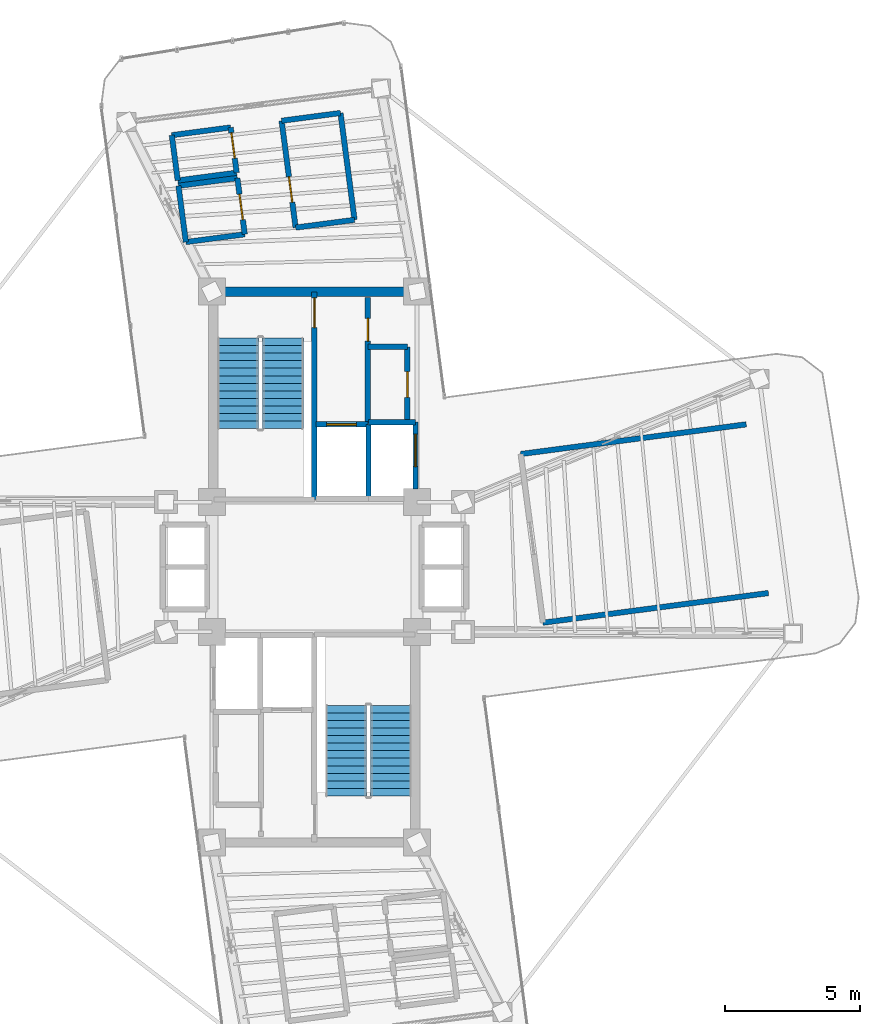
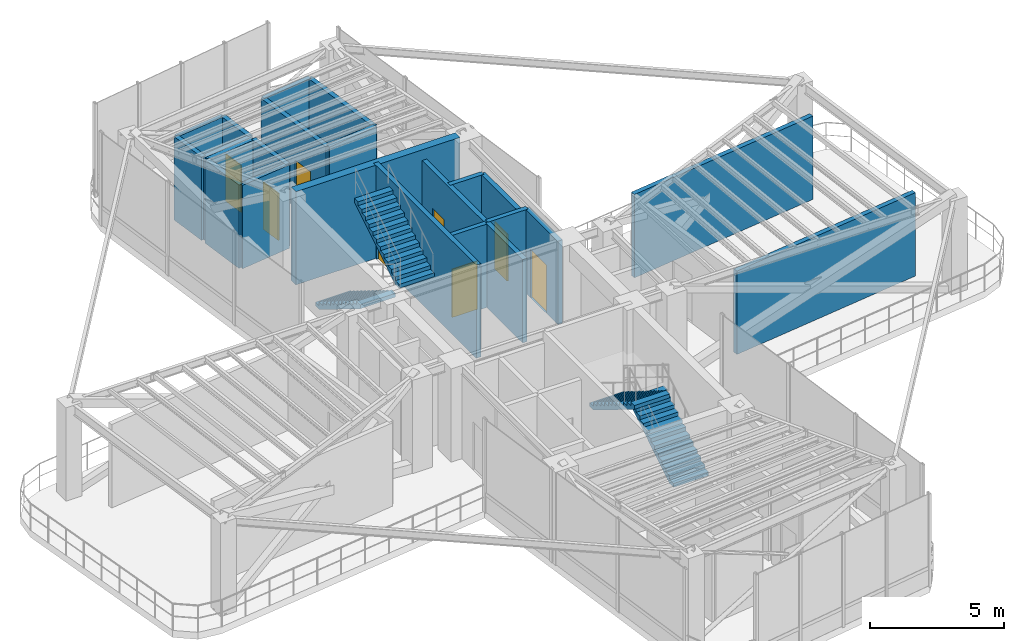
# One storey, part 15 of 17: 23 walls, 8 doors, 4 stair flights, 8 openings, 2 elements without a shape of their own.
"""IFC4 building model written with IfcOpenShell, lengths in metres."""

from ifc_helpers import new_model, si_unit, direction, frame, frame_2d, origin, origin_2d, place, context, subcontext, project, spatial, polyline, rectangle, outline, extrude, source, transform, mapped, material, layer, layer_set, type_object, element, fill, aggregate, save


model = new_model("IFC4")

# Units and contexts
model_context = context("Model", 3, precision=1e-05, world=origin(), true_north=direction((0.0, 1.0)))
body_context = subcontext(model_context, "Body", "Model", "MODEL_VIEW")
ifc_project = project(units=[si_unit("LENGTHUNIT", "METRE"), si_unit("AREAUNIT", "SQUARE_METRE"), si_unit("VOLUMEUNIT", "CUBIC_METRE"), si_unit("PLANEANGLEUNIT", "RADIAN"), si_unit("MASSUNIT", "GRAM", prefix="KILO")], contexts=[model_context])

# Site, building, storey
site_placement = place(None, origin())
site = spatial("IfcSite", under=ifc_project, at=site_placement, CompositionType="ELEMENT")
building_placement = place(site_placement, origin())
building = spatial("IfcBuilding", under=site, at=building_placement, Name="Sahyath Konkavel Grand Hotel", CompositionType="ELEMENT")
storey_placement = place(building_placement, frame((0.0, 0.0, 264.60009765625)))
storey = spatial("IfcBuildingStorey", under=building, at=storey_placement, Name="L74", CompositionType="ELEMENT", Elevation=264.60009765625)

# Wall
ifc_material_1 = material(Name="Concrete C40/50", Category="concrete")
ifc_layer_1 = layer(ifc_material_1, 0.35009765625)
ifc_layer_set_1 = layer_set([ifc_layer_1], Name="Concrete C40/50")
wall_type_1 = type_object("IfcWallType", Name="CWALL-350", PredefinedType="SHEAR", material=ifc_layer_set_1)
wall_1_placement = place(storey_placement, frame((-3.550048828125, 10.199951171875, 0.0), z_axis=(0.0, 0.0, 1.0), x_axis=(1.0, 0.0, 0.0)))
element("IfcWall", 1, at=wall_1_placement, inside=storey, type_object=wall_type_1, Name="L74 North Core Shear Wall N", PredefinedType="SHEAR", context=body_context, shape_type="SweptSolid", body=[
    extrude(rectangle(XDim=7.10009765625, YDim=0.35009765625, at=frame_2d((3.550048828125, 0.0))), origin(), (0.0, 0.0, 1.0), 4.260009765625),
])

# Wall, opening, door
ifc_layer_2 = layer(ifc_material_1, 0.199951171875)
ifc_layer_set_2 = layer_set([ifc_layer_2], Name="Concrete C40/50")
wall_type_2 = type_object("IfcWallType", Name="WLL-CORE-200", PredefinedType="SOLIDWALL", material=ifc_layer_set_2)
wall_2_placement = place(storey_placement, frame((0.0, 2.5, 0.0), z_axis=(0.0, 0.0, 1.0), x_axis=(0.0, 1.0, 0.0)))
wall_2 = element("IfcWall", 2, at=wall_2_placement, inside=storey, type_object=wall_type_2, Name="L74 Stair ST-1 Shaft Wall E", PredefinedType="SOLIDWALL", context=body_context, shape_type="SweptSolid", body=[
    extrude(rectangle(XDim=7.679931640625, YDim=0.199951171875, at=frame_2d((3.83984375, 0.0))), origin(), (0.0, 0.0, 1.0), 4.260009765625),
])
opening_1_placement = place(wall_2_placement, frame((6.360107421875, 0.0, 0.0)))
opening_1 = element("IfcOpeningElement", 3, at=opening_1_placement, cuts=wall_2, Name="Opening D-F12B", PredefinedType="OPENING", context=body_context, shape_type="SweptSolid", body=[
    extrude(rectangle(XDim=1.10009765625, YDim=2.14990234375, at=frame_2d((0.550048828125, 1.074951171875))), frame((0.0, 0.10986328125, 0.0), z_axis=(0.0, -1.0, 0.0), x_axis=(1.0, 0.0, 0.0)), (0.0, 0.0, 1.0), 0.219970703125),
])
ifc_material_2 = material(Name="Steel E350 Smokeproof Fire Door", Category="steel")
door_type_1 = type_object("IfcDoorType", Name="DR-FD120-1100", OperationType="NOTDEFINED", PredefinedType="DOOR", material=ifc_material_2)
shared_shape_1 = source(origin(), body_context, "Body", "SweptSolid", [
    extrude(rectangle(XDim=1.10009765625, YDim=0.050048828125, at=origin_2d()), origin(), (0.0, 0.0, 1.0), 2.14990234375),
])
door_1_placement = place(opening_1_placement, frame((0.550048828125, 0.0, 0.0)))
door_1 = element("IfcDoor", 4, at=door_1_placement, inside=storey, type_object=door_type_1, Name="L74 Stair ST-1 Fire Door", OperationType="SINGLE_SWING_RIGHT", OverallHeight=2.14990234375, OverallWidth=1.10009765625, PredefinedType="DOOR", context=body_context, shape_type="MappedRepresentation", body=[
    mapped(shared_shape_1, transform((0.0, 0.0, 0.0), scale=1.0)),
])
fill(opening_1, door_1)

wall_3_placement = place(storey_placement, frame((1.97998046875, 5.320068359375, 0.0), z_axis=(0.0, 0.0, 1.0), x_axis=(0.0, 1.0, 0.0)))
wall_3 = element("IfcWall", 5, at=wall_3_placement, inside=storey, type_object=wall_type_2, Name="L74 North Firefighting Lobby Wall E", PredefinedType="SOLIDWALL", context=body_context, shape_type="SweptSolid", body=[
    extrude(rectangle(XDim=4.659912109375, YDim=0.199951171875, at=frame_2d((2.330078125, 0.0))), origin(), (0.0, 0.0, 1.0), 3.809814453125),
])
opening_2_placement = place(wall_3_placement, frame((3.0400390625, 0.0, 0.0)))
opening_2 = element("IfcOpeningElement", 6, at=opening_2_placement, cuts=wall_3, Name="Opening D-F12D", PredefinedType="OPENING", context=body_context, shape_type="SweptSolid", body=[
    extrude(rectangle(XDim=0.85009765625, YDim=2.10009765625, at=frame_2d((0.425048828125, 1.050048828125))), frame((0.0, 0.10986328125, 0.0), z_axis=(0.0, -1.0, 0.0), x_axis=(1.0, 0.0, 0.0)), (0.0, 0.0, 1.0), 0.219970703125),
])
ifc_material_3 = material(Name="Steel E350 Core Fire Door", Category="steel")
door_type_2 = type_object("IfcDoorType", Name="DR-FD120-850", OperationType="NOTDEFINED", PredefinedType="DOOR", material=ifc_material_3)
shared_shape_2 = source(origin(), body_context, "Body", "SweptSolid", [
    extrude(rectangle(XDim=0.85009765625, YDim=0.050048828125, at=origin_2d()), origin(), (0.0, 0.0, 1.0), 2.10009765625),
])
door_2_placement = place(opening_2_placement, frame((0.425048828125, 0.0, 0.0)))
door_2 = element("IfcDoor", 7, at=door_2_placement, inside=storey, type_object=door_type_2, Name="L74 North Firefighting Lobby Door", OperationType="SINGLE_SWING_RIGHT", OverallHeight=2.10009765625, OverallWidth=0.85009765625, PredefinedType="DOOR", context=body_context, shape_type="MappedRepresentation", body=[
    mapped(shared_shape_2, transform((0.0, 0.0, 0.0), scale=1.0)),
])
fill(opening_2, door_2)

# Wall
wall_4_placement = place(storey_placement, frame((2.0, 2.5, 0.0), z_axis=(0.0, 0.0, 1.0), x_axis=(0.0, 1.0, 0.0)))
element("IfcWall", 8, at=wall_4_placement, inside=storey, type_object=wall_type_2, Name="L74 Partition SH-FFL1-E", PredefinedType="SOLIDWALL", context=body_context, shape_type="SweptSolid", body=[
    extrude(rectangle(XDim=2.780029296875, YDim=0.199951171875, at=frame_2d((1.39013671875, 0.0))), origin(), (0.0, 0.0, 1.0), 3.809814453125),
])

# Wall, opening, door
wall_5_placement = place(storey_placement, frame((0.050048828125, 5.280029296875, 0.0), z_axis=(0.0, 0.0, 1.0), x_axis=(1.0, 0.0, 0.0)))
wall_5 = element("IfcWall", 9, at=wall_5_placement, inside=storey, type_object=wall_type_2, Name="L74 Partition SH-FFL1-N", PredefinedType="SOLIDWALL", context=body_context, shape_type="SweptSolid", body=[
    extrude(rectangle(XDim=1.929931640625, YDim=0.199951171875, at=frame_2d((0.96484375, 0.0))), origin(), (0.0, 0.0, 1.0), 3.809814453125),
])
opening_3_placement = place(wall_5_placement, frame((0.39990234375, 0.0, 0.0)))
opening_3 = element("IfcOpeningElement", 10, at=opening_3_placement, cuts=wall_5, Name="Opening LD-11", PredefinedType="OPENING", context=body_context, shape_type="SweptSolid", body=[
    extrude(rectangle(XDim=1.10009765625, YDim=2.199951171875, at=frame_2d((0.550048828125, 1.10009765625))), frame((0.0, 0.10986328125, 0.0), z_axis=(0.0, -1.0, 0.0), x_axis=(1.0, 0.0, 0.0)), (0.0, 0.0, 1.0), 0.219970703125),
])
ifc_material_4 = material(Name="Bronze Lift Landing Door 1100")
door_type_3 = type_object("IfcDoorType", Name="DR-LIFT-1100", OperationType="DOUBLE_DOOR_SLIDING", PredefinedType="DOOR", material=ifc_material_4)
shared_shape_3 = source(origin(), body_context, "Body", "SweptSolid", [
    extrude(rectangle(XDim=1.10009765625, YDim=0.050048828125, at=origin_2d()), origin(), (0.0, 0.0, 1.0), 2.199951171875),
])
door_3_placement = place(opening_3_placement, frame((0.550048828125, 0.0, 0.0)))
door_3 = element("IfcDoor", 11, at=door_3_placement, inside=storey, type_object=door_type_3, Name="L74 Lift FFL-1 Landing Door", OperationType="DOUBLE_DOOR_SLIDING", OverallHeight=2.199951171875, OverallWidth=1.10009765625, PredefinedType="DOOR", context=body_context, shape_type="MappedRepresentation", body=[
    mapped(shared_shape_3, transform((0.0, 0.0, 0.0), scale=1.0)),
])
fill(opening_3, door_3)

# Wall
wall_6_placement = place(storey_placement, frame((2.0, 5.360107421875, 0.0), z_axis=(0.0, 0.0, 1.0), x_axis=(1.0, 0.0, 0.0)))
element("IfcWall", 12, at=wall_6_placement, inside=storey, type_object=wall_type_2, Name="L74 Partition SH-SVL1-N", PredefinedType="SOLIDWALL", context=body_context, shape_type="SweptSolid", body=[
    extrude(rectangle(XDim=1.739990234375, YDim=0.199951171875, at=frame_2d((0.8701171875, 0.0))), origin(), (0.0, 0.0, 1.0), 3.809814453125),
])

# Wall, opening, door
wall_7_placement = place(storey_placement, frame((3.739990234375, 2.8798828125, 0.0), z_axis=(0.0, 0.0, 1.0), x_axis=(0.0, 1.0, 0.0)))
wall_7 = element("IfcWall", 13, at=wall_7_placement, inside=storey, type_object=wall_type_2, Name="L74 Partition SH-SVL1-E", PredefinedType="SOLIDWALL", context=body_context, shape_type="SweptSolid", body=[
    extrude(rectangle(XDim=2.480224609375, YDim=0.199951171875, at=frame_2d((1.240234375, 0.0))), origin(), (0.0, 0.0, 1.0), 3.809814453125),
])
opening_4_placement = place(wall_7_placement, frame((0.840087890625, 0.0, 0.0)))
opening_4 = element("IfcOpeningElement", 14, at=opening_4_placement, cuts=wall_7, Name="Opening LD-12", PredefinedType="OPENING", context=body_context, shape_type="SweptSolid", body=[
    extrude(rectangle(XDim=1.199951171875, YDim=2.199951171875, at=frame_2d((0.60009765625, 1.10009765625))), frame((0.0, 0.10986328125, 0.0), z_axis=(0.0, -1.0, 0.0), x_axis=(1.0, 0.0, 0.0)), (0.0, 0.0, 1.0), 0.219970703125),
])
ifc_material_5 = material(Name="Stainless Steel Lift Landing Door 1200", Category="steel")
door_type_4 = type_object("IfcDoorType", Name="DR-LIFT-1200", OperationType="DOUBLE_DOOR_SLIDING", PredefinedType="DOOR", material=ifc_material_5)
shared_shape_4 = source(origin(), body_context, "Body", "SweptSolid", [
    extrude(rectangle(XDim=1.199951171875, YDim=0.050048828125, at=origin_2d()), origin(), (0.0, 0.0, 1.0), 2.199951171875),
])
door_4_placement = place(opening_4_placement, frame((0.60009765625, 0.0, 0.0)))
door_4 = element("IfcDoor", 15, at=door_4_placement, inside=storey, type_object=door_type_4, Name="L74 Service Lift SVL-1 Landing Door", OperationType="DOUBLE_DOOR_SLIDING", OverallHeight=2.199951171875, OverallWidth=1.199951171875, PredefinedType="DOOR", context=body_context, shape_type="MappedRepresentation", body=[
    mapped(shared_shape_4, transform((0.0, 0.0, 0.0), scale=1.0)),
])
fill(opening_4, door_4)

wall_8_placement = place(storey_placement, frame((3.43994140625, 5.3798828125, 0.0), z_axis=(0.0, 0.0, 1.0), x_axis=(0.0, 1.0, 0.0)))
wall_8 = element("IfcWall", 16, at=wall_8_placement, inside=storey, type_object=wall_type_2, Name="L74 Reclaimed North Core Wall E", PredefinedType="SOLIDWALL", context=body_context, shape_type="SweptSolid", body=[
    extrude(rectangle(XDim=2.77001953125, YDim=0.199951171875, at=frame_2d((1.385009765625, 0.0))), origin(), (0.0, 0.0, 1.0), 3.809814453125),
])
opening_5_placement = place(wall_8_placement, frame((0.89990234375, 0.0, 0.0)))
opening_5 = element("IfcOpeningElement", 17, at=opening_5_placement, cuts=wall_8, Name="Opening D-F06B", PredefinedType="OPENING", context=body_context, shape_type="SweptSolid", body=[
    extrude(rectangle(XDim=0.949951171875, YDim=2.14990234375, at=frame_2d((0.47509765625, 1.074951171875))), frame((0.0, 0.10986328125, 0.0), z_axis=(0.0, -1.0, 0.0), x_axis=(1.0, 0.0, 0.0)), (0.0, 0.0, 1.0), 0.219970703125),
])
ifc_material_6 = material(Name="Teak Veneer Fire-Rated Guest Entrance Door")
door_type_5 = type_object("IfcDoorType", Name="DR-FD60-950", OperationType="NOTDEFINED", PredefinedType="DOOR", material=ifc_material_6)
shared_shape_5 = source(origin(), body_context, "Body", "SweptSolid", [
    extrude(rectangle(XDim=0.949951171875, YDim=0.050048828125, at=origin_2d()), origin(), (0.0, 0.0, 1.0), 2.14990234375),
])
door_5_placement = place(opening_5_placement, frame((0.47509765625, 0.0, 0.0)))
door_5 = element("IfcDoor", 18, at=door_5_placement, inside=storey, type_object=door_type_5, Name="L74 Door NC-REC1-D", OperationType="SINGLE_SWING_RIGHT", OverallHeight=2.14990234375, OverallWidth=0.949951171875, PredefinedType="DOOR", context=body_context, shape_type="MappedRepresentation", body=[
    mapped(shared_shape_5, transform((0.0, 0.0, 0.0), scale=1.0)),
])
fill(opening_5, door_5)

# Walls
wall_9_placement = place(storey_placement, frame((1.97998046875, 8.14990234375, 0.0), z_axis=(0.0, 0.0, 1.0), x_axis=(1.0, 0.0, 0.0)))
element("IfcWall", 19, at=wall_9_placement, inside=storey, type_object=wall_type_2, Name="L74 Partition NC-REC-N", PredefinedType="SOLIDWALL", context=body_context, shape_type="SweptSolid", body=[
    extrude(rectangle(XDim=1.4599609375, YDim=0.199951171875, at=frame_2d((0.72998046875, 0.0))), origin(), (0.0, 0.0, 1.0), 3.809814453125),
])
wall_10_placement = place(storey_placement, frame((7.639404296875, 4.182861328125, 0.0), z_axis=(0.0, 0.0, 1.0), x_axis=(0.991443337312, 0.130537768098, 0.0)))
element("IfcWall", 20, at=wall_10_placement, inside=storey, type_object=wall_type_2, Name="L74 Partition REF-E-N", PredefinedType="SOLIDWALL", context=body_context, shape_type="SweptSolid", body=[
    extrude(rectangle(XDim=8.419921875, YDim=0.199951171875, at=frame_2d((4.2099609375, 0.0))), origin(), (0.0, 0.0, 1.0), 3.809814453125),
])
wall_11_placement = place(storey_placement, frame((8.461669921875, -2.063232421875, 0.0), z_axis=(0.0, 0.0, 1.0), x_axis=(0.991443831377, 0.130534015583, 0.0)))
element("IfcWall", 21, at=wall_11_placement, inside=storey, type_object=wall_type_2, Name="L74 Partition REF-E-S", PredefinedType="SOLIDWALL", context=body_context, shape_type="SweptSolid", body=[
    extrude(rectangle(XDim=8.420166015625, YDim=0.199951171875, at=frame_2d((4.2099609375, 0.0))), origin(), (0.0, 0.0, 1.0), 3.809814453125),
])

# Wall, opening, door
wall_12_placement = place(storey_placement, frame((-2.580078125, 12.318603515625, 0.0), z_axis=(0.0, 0.0, 1.0), x_axis=(-0.13044248305, 0.9914558783, 0.0)))
wall_12 = element("IfcWall", 22, at=wall_12_placement, inside=storey, type_object=wall_type_2, Name="L74 Partition PL-AHU-C", PredefinedType="SOLIDWALL", context=body_context, shape_type="SweptSolid", body=[
    extrude(rectangle(XDim=2.099853515625, YDim=0.199951171875, at=frame_2d((1.0498046875, 0.0))), origin(), (0.0, 0.0, 1.0), 3.809814453125),
])
opening_6_placement = place(wall_12_placement, frame((0.550048828125, 0.0, 0.0)))
opening_6 = element("IfcOpeningElement", 23, at=opening_6_placement, cuts=wall_12, Name="Opening D-F12C", PredefinedType="OPENING", context=body_context, shape_type="SweptSolid", body=[
    extrude(rectangle(XDim=0.949951171875, YDim=2.14990234375, at=frame_2d((0.47509765625, 1.074951171875))), frame((0.0, 0.10986328125, 0.0), z_axis=(0.0, -1.0, 0.0), x_axis=(1.0, 0.0, 0.0)), (0.0, 0.0, 1.0), 0.219970703125),
])
ifc_material_7 = material(Name="Steel E350 Plant Fire Door", Category="steel")
door_type_6 = type_object("IfcDoorType", Name="DR-FD120-950", OperationType="NOTDEFINED", PredefinedType="DOOR", material=ifc_material_7)
door_6_placement = place(opening_6_placement, frame((0.47509765625, 0.0, 0.0)))
door_6 = element("IfcDoor", 24, at=door_6_placement, inside=storey, type_object=door_type_6, Name="L74 Door PL-AHU-D", OperationType="SINGLE_SWING_RIGHT", OverallHeight=2.14990234375, OverallWidth=0.949951171875, PredefinedType="DOOR", context=body_context, shape_type="MappedRepresentation", body=[
    mapped(shared_shape_5, transform((0.0, 0.0, 0.0), scale=1.0)),
])
fill(opening_6, door_6)

# Walls
wall_13_placement = place(storey_placement, frame((-4.76123046875, 12.031494140625, 0.0), z_axis=(0.0, 0.0, 1.0), x_axis=(-0.130556761174, 0.991440836415, 0.0)))
element("IfcWall", 25, at=wall_13_placement, inside=storey, type_object=wall_type_2, Name="L74 Partition PL-AHU-O", PredefinedType="SOLIDWALL", context=body_context, shape_type="SweptSolid", body=[
    extrude(rectangle(XDim=2.10009765625, YDim=0.199951171875, at=frame_2d((1.050048828125, 0.0))), origin(), (0.0, 0.0, 1.0), 3.809814453125),
])
wall_14_placement = place(storey_placement, frame((-2.580078125, 12.318603515625, 0.0), z_axis=(0.0, 0.0, 1.0), x_axis=(-0.991447495205, -0.130506184728, 0.0)))
element("IfcWall", 26, at=wall_14_placement, inside=storey, type_object=wall_type_2, Name="L74 Partition PL-AHU-A", PredefinedType="SOLIDWALL", context=body_context, shape_type="SweptSolid", body=[
    extrude(rectangle(XDim=2.199951171875, YDim=0.199951171875, at=frame_2d((1.10009765625, 0.0))), origin(), (0.0, 0.0, 1.0), 3.809814453125),
])
wall_15_placement = place(storey_placement, frame((-2.85400390625, 14.400634765625, 0.0), z_axis=(0.0, 0.0, 1.0), x_axis=(-0.991449384998, -0.130491827281, 0.0)))
element("IfcWall", 27, at=wall_15_placement, inside=storey, type_object=wall_type_2, Name="L74 Partition PL-AHU-B", PredefinedType="SOLIDWALL", context=body_context, shape_type="SweptSolid", body=[
    extrude(rectangle(XDim=2.2001953125, YDim=0.199951171875, at=frame_2d((1.10009765625, 0.0))), origin(), (0.0, 0.0, 1.0), 3.809814453125),
])

# Wall, opening, door
wall_16_placement = place(storey_placement, frame((-2.880126953125, 14.59912109375, 0.0), z_axis=(0.0, 0.0, 1.0), x_axis=(-0.130611483598, 0.991433628819, 0.0)))
wall_16 = element("IfcWall", 28, at=wall_16_placement, inside=storey, type_object=wall_type_2, Name="L74 Partition PL-TNK-C", PredefinedType="SOLIDWALL", context=body_context, shape_type="SweptSolid", body=[
    extrude(rectangle(XDim=1.689697265625, YDim=0.199951171875, at=frame_2d((0.8447265625, 0.0))), origin(), (0.0, 0.0, 1.0), 3.809814453125),
])
opening_7_placement = place(wall_16_placement, frame((0.5400390625, 0.0, 0.0)))
opening_7 = element("IfcOpeningElement", 29, at=opening_7_placement, cuts=wall_16, Name="Opening D-F12C", PredefinedType="OPENING", context=body_context, shape_type="SweptSolid", body=[
    extrude(rectangle(XDim=0.949951171875, YDim=2.14990234375, at=frame_2d((0.47509765625, 1.074951171875))), frame((0.0, 0.10986328125, 0.0), z_axis=(0.0, -1.0, 0.0), x_axis=(1.0, 0.0, 0.0)), (0.0, 0.0, 1.0), 0.219970703125),
])
door_7_placement = place(opening_7_placement, frame((0.47509765625, 0.0, 0.0)))
door_7 = element("IfcDoor", 30, at=door_7_placement, inside=storey, type_object=door_type_6, Name="L74 Door PL-TNK-D", OperationType="SINGLE_SWING_LEFT", OverallHeight=2.14990234375, OverallWidth=0.949951171875, PredefinedType="DOOR", context=body_context, shape_type="MappedRepresentation", body=[
    mapped(shared_shape_5, transform((0.0, 0.0, 0.0), scale=1.0)),
])
fill(opening_7, door_7)

# Walls
wall_17_placement = place(storey_placement, frame((-5.061279296875, 14.311767578125, 0.0), z_axis=(0.0, 0.0, 1.0), x_axis=(-0.130592776937, 0.991436093055, 0.0)))
element("IfcWall", 31, at=wall_17_placement, inside=storey, type_object=wall_type_2, Name="L74 Partition PL-TNK-O", PredefinedType="SOLIDWALL", context=body_context, shape_type="SweptSolid", body=[
    extrude(rectangle(XDim=1.68994140625, YDim=0.199951171875, at=frame_2d((0.844970703125, 0.0))), origin(), (0.0, 0.0, 1.0), 3.809814453125),
])
for number, where, z_axis, x_axis, name in (
    (32, (-2.880126953125, 14.59912109375, 0.0), (0.0, 0.0, 1.0), (-0.991433130399, -0.130615266899, 0.0), "L74 Partition PL-TNK-A"),
    (33, (-3.100830078125, 16.2744140625, 0.0), (0.0, 0.0, 1.0), (-0.991447495205, -0.130506184728, 0.0), "L74 Partition PL-TNK-B"),
):
    element("IfcWall", number, at=place(storey_placement, frame(where, z_axis=z_axis, x_axis=x_axis)), inside=storey, type_object=wall_type_2, Name=name, PredefinedType="SOLIDWALL", context=body_context, shape_type="SweptSolid", body=[
        extrude(rectangle(XDim=2.199951171875, YDim=0.199951171875, at=frame_2d((1.10009765625, 0.0))), origin(), (0.0, 0.0, 1.0), 3.809814453125),
    ])

# Wall, opening, door
wall_18_placement = place(storey_placement, frame((-0.6962890625, 12.566650390625, 0.0), z_axis=(0.0, 0.0, 1.0), x_axis=(-0.130516242864, 0.991446171181, 0.0)))
wall_18 = element("IfcWall", 34, at=wall_18_placement, inside=storey, type_object=wall_type_2, Name="L74 Partition PL-PRS-C", PredefinedType="SOLIDWALL", context=body_context, shape_type="SweptSolid", body=[
    extrude(rectangle(XDim=3.989990234375, YDim=0.199951171875, at=frame_2d((1.9951171875, 0.0))), origin(), (0.0, 0.0, 1.0), 3.809814453125),
])
opening_8_placement = place(wall_18_placement, frame((0.949951171875, 0.0, 0.0)))
opening_8 = element("IfcOpeningElement", 35, at=opening_8_placement, cuts=wall_18, Name="Opening D-F12C", PredefinedType="OPENING", context=body_context, shape_type="SweptSolid", body=[
    extrude(rectangle(XDim=0.949951171875, YDim=2.14990234375, at=frame_2d((0.47509765625, 1.074951171875))), frame((0.0, 0.10986328125, 0.0), z_axis=(0.0, -1.0, 0.0), x_axis=(1.0, 0.0, 0.0)), (0.0, 0.0, 1.0), 0.219970703125),
])
door_8_placement = place(opening_8_placement, frame((0.47509765625, 0.0, 0.0)))
door_8 = element("IfcDoor", 36, at=door_8_placement, inside=storey, type_object=door_type_6, Name="L74 Door PL-PRS-D", OperationType="SINGLE_SWING_RIGHT", OverallHeight=2.14990234375, OverallWidth=0.949951171875, PredefinedType="DOOR", context=body_context, shape_type="MappedRepresentation", body=[
    mapped(shared_shape_5, transform((0.0, 0.0, 0.0), scale=1.0)),
])
fill(opening_8, door_8)

# Walls
wall_19_placement = place(storey_placement, frame((1.48486328125, 12.853759765625, 0.0), z_axis=(0.0, 0.0, 1.0), x_axis=(-0.130508325488, 0.99144721341, 0.0)))
element("IfcWall", 37, at=wall_19_placement, inside=storey, type_object=wall_type_2, Name="L74 Partition PL-PRS-O", PredefinedType="SOLIDWALL", context=body_context, shape_type="SweptSolid", body=[
    extrude(rectangle(XDim=3.990234375, YDim=0.199951171875, at=frame_2d((1.9951171875, 0.0))), origin(), (0.0, 0.0, 1.0), 3.809814453125),
])
for number, where, z_axis, x_axis, name in (
    (38, (1.48486328125, 12.853759765625, 0.0), (0.0, 0.0, 1.0), (-0.991447495205, -0.130506184728, 0.0), "L74 Partition PL-PRS-A"),
    (39, (0.964111328125, 16.809814453125, 0.0), (0.0, 0.0, 1.0), (-0.991433130399, -0.130615266899, 0.0), "L74 Partition PL-PRS-B"),
):
    element("IfcWall", number, at=place(storey_placement, frame(where, z_axis=z_axis, x_axis=x_axis)), inside=storey, type_object=wall_type_2, Name=name, PredefinedType="SOLIDWALL", context=body_context, shape_type="SweptSolid", body=[
        extrude(rectangle(XDim=2.199951171875, YDim=0.199951171875, at=frame_2d((1.10009765625, 0.0))), origin(), (0.0, 0.0, 1.0), 3.809814453125),
    ])

# Stair, stair flights
stair_type = type_object("IfcStairType", Name="STR-ST16-450", PredefinedType="HALF_TURN_STAIR", material=ifc_material_1)
stair_1_placement = place(storey_placement, origin())
stair_1 = element("IfcStair", 40, at=stair_1_placement, inside=storey, type_object=stair_type, Name="L74 North Core Smokeproof Exit Stair ST-1", PredefinedType="HALF_TURN_STAIR")
stair_flight_type = type_object("IfcStairFlightType", Name="STF-ST16-450", PredefinedType="STRAIGHT", material=ifc_material_1)
stair_flight_1_placement = place(storey_placement, frame((-2.840087890625, 8.47998046875, 0.0), z_axis=(0.0, 0.0, 1.0), x_axis=(0.0, -1.0, 0.0)))
stair_flight_1 = element("IfcStairFlight", 41, at=stair_flight_1_placement, type_object=stair_flight_type, Name="ST-1 flight 1", NumberOfRisers=13, NumberOfTreads=12, PredefinedType="STRAIGHT", RiserHeight=0.173076923, TreadLength=0.28, context=body_context, shape_type="SweptSolid", body=[
    extrude(outline(polyline([(0.0, 0.0), (0.0, 0.173095703125), (0.280029296875, 0.173095703125), (0.280029296875, 0.34619140625), (0.56005859375, 0.34619140625), (0.56005859375, 0.519287109375), (0.840087890625, 0.519287109375), (0.840087890625, 0.6923828125), (1.1201171875, 0.6923828125), (1.1201171875, 0.865478515625), (1.39990234375, 0.865478515625), (1.39990234375, 1.03857421875), (1.679931640625, 1.03857421875), (1.679931640625, 1.21142578125), (1.9599609375, 1.21142578125), (1.9599609375, 1.384521484375), (2.239990234375, 1.384521484375), (2.239990234375, 1.5576171875), (2.52001953125, 1.5576171875), (2.52001953125, 1.730712890625), (2.800048828125, 1.730712890625), (2.800048828125, 1.90380859375), (3.080078125, 1.90380859375), (3.080078125, 2.076904296875), (3.360107421875, 2.076904296875), (3.360107421875, 2.25), (3.360107421875, 1.900634765625), (0.28515625, 0.0), (0.0, 0.0)])), frame((0.0, 0.760009765625, 0.0), z_axis=(0.0, -1.0, 0.0), x_axis=(1.0, 0.0, 0.0)), (0.0, 0.0, 1.0), 1.52001953125),
])
stair_flight_2_placement = place(storey_placement, frame((-1.159912109375, 5.1201171875, 2.25), z_axis=(0.0, 0.0, 1.0), x_axis=(0.0, 1.0, 0.0)))
stair_flight_2 = element("IfcStairFlight", 42, at=stair_flight_2_placement, type_object=stair_flight_type, Name="ST-1 flight 2", NumberOfRisers=13, NumberOfTreads=12, PredefinedType="STRAIGHT", RiserHeight=0.173076923, TreadLength=0.28, context=body_context, shape_type="SweptSolid", body=[
    extrude(outline(polyline([(0.0, 0.0), (0.0, 0.173095703125), (0.280029296875, 0.173095703125), (0.280029296875, 0.34619140625), (0.56005859375, 0.34619140625), (0.56005859375, 0.519287109375), (0.840087890625, 0.519287109375), (0.840087890625, 0.6923828125), (1.1201171875, 0.6923828125), (1.1201171875, 0.865478515625), (1.39990234375, 0.865478515625), (1.39990234375, 1.03857421875), (1.679931640625, 1.03857421875), (1.679931640625, 1.21142578125), (1.9599609375, 1.21142578125), (1.9599609375, 1.384521484375), (2.239990234375, 1.384521484375), (2.239990234375, 1.5576171875), (2.52001953125, 1.5576171875), (2.52001953125, 1.730712890625), (2.800048828125, 1.730712890625), (2.800048828125, 1.90380859375), (3.080078125, 1.90380859375), (3.080078125, 2.076904296875), (3.360107421875, 2.076904296875), (3.360107421875, 2.25), (3.360107421875, 1.900634765625), (0.28515625, 0.0), (0.0, 0.0)])), frame((0.0, 0.760009765625, 0.0), z_axis=(0.0, -1.0, 0.0), x_axis=(1.0, 0.0, 0.0)), (0.0, 0.0, 1.0), 1.52001953125),
])
aggregate(stair_1, [stair_flight_1, stair_flight_2])

stair_2_placement = place(storey_placement, origin())
stair_2 = element("IfcStair", 43, at=stair_2_placement, inside=storey, type_object=stair_type, Name="L74 South Core Smokeproof Exit Stair ST-2", PredefinedType="HALF_TURN_STAIR")
stair_flight_3_placement = place(storey_placement, frame((2.840087890625, -8.47998046875, 0.0), z_axis=(0.0, 0.0, 1.0), x_axis=(0.0, 1.0, 0.0)))
stair_flight_3 = element("IfcStairFlight", 44, at=stair_flight_3_placement, type_object=stair_flight_type, Name="ST-2 flight 1", NumberOfRisers=13, NumberOfTreads=12, PredefinedType="STRAIGHT", RiserHeight=0.173076923, TreadLength=0.28, context=body_context, shape_type="SweptSolid", body=[
    extrude(outline(polyline([(0.0, 0.0), (0.0, 0.173095703125), (0.280029296875, 0.173095703125), (0.280029296875, 0.34619140625), (0.56005859375, 0.34619140625), (0.56005859375, 0.519287109375), (0.840087890625, 0.519287109375), (0.840087890625, 0.6923828125), (1.1201171875, 0.6923828125), (1.1201171875, 0.865478515625), (1.39990234375, 0.865478515625), (1.39990234375, 1.03857421875), (1.679931640625, 1.03857421875), (1.679931640625, 1.21142578125), (1.9599609375, 1.21142578125), (1.9599609375, 1.384521484375), (2.239990234375, 1.384521484375), (2.239990234375, 1.5576171875), (2.52001953125, 1.5576171875), (2.52001953125, 1.730712890625), (2.800048828125, 1.730712890625), (2.800048828125, 1.90380859375), (3.080078125, 1.90380859375), (3.080078125, 2.076904296875), (3.360107421875, 2.076904296875), (3.360107421875, 2.25), (3.360107421875, 1.900634765625), (0.28515625, 0.0), (0.0, 0.0)])), frame((0.0, 0.760009765625, 0.0), z_axis=(0.0, -1.0, 0.0), x_axis=(1.0, 0.0, 0.0)), (0.0, 0.0, 1.0), 1.52001953125),
])
stair_flight_4_placement = place(storey_placement, frame((1.159912109375, -5.1201171875, 2.25), z_axis=(0.0, 0.0, 1.0), x_axis=(0.0, -1.0, 0.0)))
stair_flight_4 = element("IfcStairFlight", 45, at=stair_flight_4_placement, type_object=stair_flight_type, Name="ST-2 flight 2", NumberOfRisers=13, NumberOfTreads=12, PredefinedType="STRAIGHT", RiserHeight=0.173076923, TreadLength=0.28, context=body_context, shape_type="SweptSolid", body=[
    extrude(outline(polyline([(0.0, 0.0), (0.0, 0.173095703125), (0.280029296875, 0.173095703125), (0.280029296875, 0.34619140625), (0.56005859375, 0.34619140625), (0.56005859375, 0.519287109375), (0.840087890625, 0.519287109375), (0.840087890625, 0.6923828125), (1.1201171875, 0.6923828125), (1.1201171875, 0.865478515625), (1.39990234375, 0.865478515625), (1.39990234375, 1.03857421875), (1.679931640625, 1.03857421875), (1.679931640625, 1.21142578125), (1.9599609375, 1.21142578125), (1.9599609375, 1.384521484375), (2.239990234375, 1.384521484375), (2.239990234375, 1.5576171875), (2.52001953125, 1.5576171875), (2.52001953125, 1.730712890625), (2.800048828125, 1.730712890625), (2.800048828125, 1.90380859375), (3.080078125, 1.90380859375), (3.080078125, 2.076904296875), (3.360107421875, 2.076904296875), (3.360107421875, 2.25), (3.360107421875, 1.900634765625), (0.28515625, 0.0), (0.0, 0.0)])), frame((0.0, 0.760009765625, 0.0), z_axis=(0.0, -1.0, 0.0), x_axis=(1.0, 0.0, 0.0)), (0.0, 0.0, 1.0), 1.52001953125),
])
aggregate(stair_2, [stair_flight_3, stair_flight_4])

save(model, "model.ifc")
